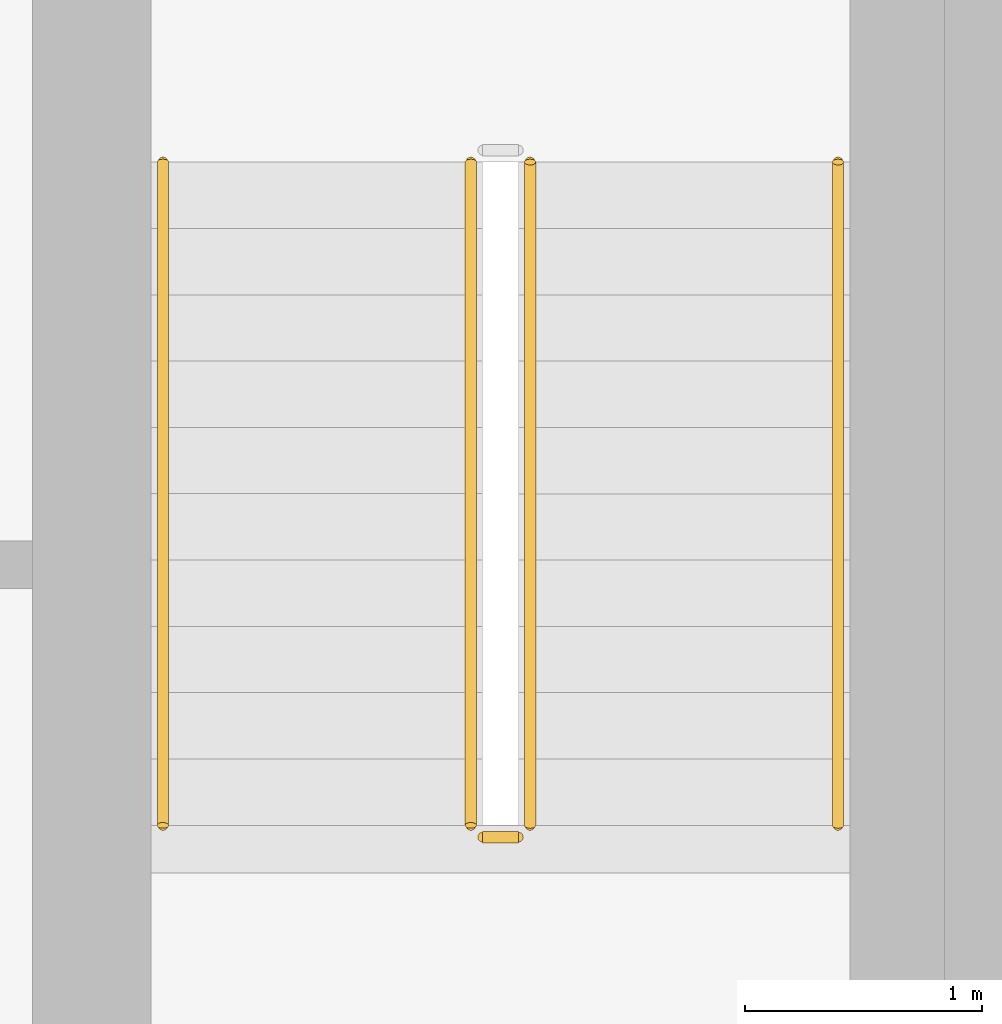
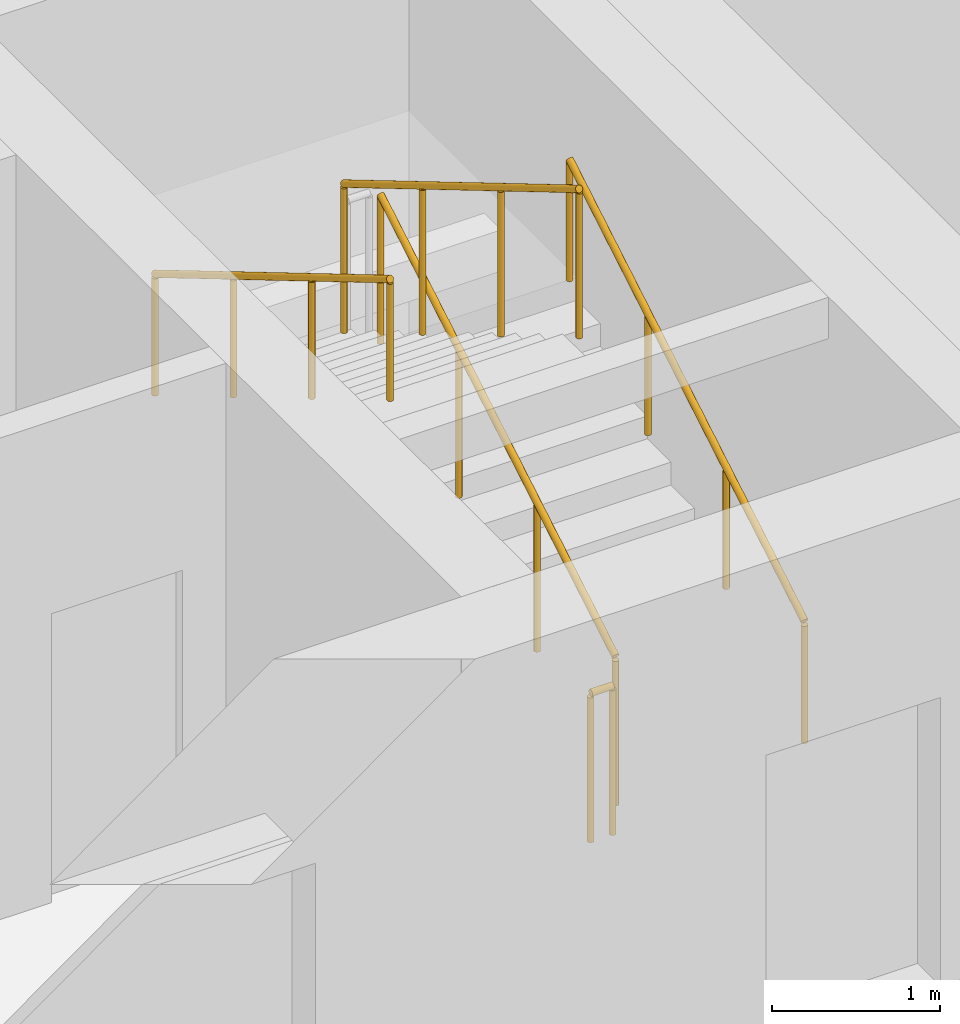
# One storey, part 13 of 15: 5 railings.
"""IFC4 building model written with IfcOpenShell, lengths in metres."""

from ifc_helpers import new_model, si_unit, direction, frame, origin, origin_2d, place, context, subcontext, project, spatial, circle, extrude, material, type_object, element, save


model = new_model("IFC4")

# Units and contexts
model_context = context("Model", 3, precision=1e-05, world=origin(), true_north=direction((0.0, 1.0)))
body_context = subcontext(model_context, "Body", "Model", "MODEL_VIEW")
ifc_project = project(units=[si_unit("LENGTHUNIT", "METRE"), si_unit("AREAUNIT", "SQUARE_METRE"), si_unit("VOLUMEUNIT", "CUBIC_METRE"), si_unit("PLANEANGLEUNIT", "RADIAN"), si_unit("MASSUNIT", "GRAM", prefix="KILO")], contexts=[model_context])

# Site, building, storey
site_placement = place(None, origin())
site = spatial("IfcSite", under=ifc_project, at=site_placement, CompositionType="ELEMENT")
building_placement = place(site_placement, origin())
building = spatial("IfcBuilding", under=site, at=building_placement, Name="Isthmus Gate Tower", CompositionType="ELEMENT")
storey_placement = place(building_placement, frame((0.0, 0.0, 223.60009765625)))
storey = spatial("IfcBuildingStorey", under=building, at=storey_placement, Name="L56", CompositionType="ELEMENT", Elevation=223.60009765625)

# Railings
ifc_material_1 = material(Name="Stainless steel balustrade", Category="steel")
railing_type_1 = type_object("IfcRailingType", Name="STAIR GUARD 1100", PredefinedType="GUARDRAIL", material=ifc_material_1)
railing_1_placement = place(storey_placement, frame((12.64990234375, 2.39990234375, 0.165771484375)))
element("IfcRailing", 1, at=railing_1_placement, inside=storey, type_object=railing_type_1, Name="L56 ST8 stair guard 1", PredefinedType="GUARDRAIL", context=body_context, shape_type="SweptSolid", body=[
    extrude(circle(Radius=0.02392578125, at=origin_2d()), frame((0.0, 0.0, 1.076171875), z_axis=(0.0, 0.860306154799, 0.50977771628), x_axis=(-1.0, 0.0, 0.0)), (0.0, 0.0, 1.0), 3.254638671875),
    extrude(circle(Radius=0.02099609375, at=origin_2d()), origin(), (0.0, 0.0, 1.0), 1.052001953125),
    extrude(circle(Radius=0.02099609375, at=origin_2d()), frame((0.0, 0.933349609375, 0.552978515625)), (0.0, 0.0, 1.0), 1.052001953125),
    extrude(circle(Radius=0.02099609375, at=origin_2d()), frame((0.0, 1.86669921875, 1.106201171875)), (0.0, 0.0, 1.0), 1.052001953125),
    extrude(circle(Radius=0.02099609375, at=origin_2d()), frame((0.0, 2.800048828125, 1.6591796875)), (0.0, 0.0, 1.0), 1.052001953125),
])
railing_2_placement = place(storey_placement, frame((12.39990234375, 5.199951171875, 1.99072265625)))
element("IfcRailing", 2, at=railing_2_placement, inside=storey, type_object=railing_type_1, Name="L56 ST8 stair guard 3", PredefinedType="GUARDRAIL", context=body_context, shape_type="SweptSolid", body=[
    extrude(circle(Radius=0.02392578125, at=origin_2d()), frame((0.0, 0.0, 1.076171875), z_axis=(0.0, -0.860306154799, 0.50977771628), x_axis=(1.0, 0.0, 0.0)), (0.0, 0.0, 1.0), 3.254638671875),
    extrude(circle(Radius=0.02099609375, at=origin_2d()), origin(), (0.0, 0.0, 1.0), 1.052001953125),
    extrude(circle(Radius=0.02099609375, at=origin_2d()), frame((0.0, -0.933349609375, 0.552978515625)), (0.0, 0.0, 1.0), 1.052001953125),
    extrude(circle(Radius=0.02099609375, at=origin_2d()), frame((0.0, -1.86669921875, 1.106201171875)), (0.0, 0.0, 1.0), 1.052001953125),
    extrude(circle(Radius=0.02099609375, at=origin_2d()), frame((0.0, -2.800048828125, 1.6591796875)), (0.0, 0.0, 1.0), 1.052001953125),
])
railing_3_placement = place(storey_placement, frame((12.60009765625, 2.35009765625, 0.0)))
element("IfcRailing", 3, at=railing_3_placement, inside=storey, type_object=railing_type_1, Name="L56 ST8 stair guard 4", PredefinedType="GUARDRAIL", context=body_context, shape_type="SweptSolid", body=[
    extrude(circle(Radius=0.02392578125, at=origin_2d()), frame((0.0, 0.0, 1.076171875), z_axis=(-1.0, 0.0, 0.0), x_axis=(0.0, -1.0, 0.0)), (0.0, 0.0, 1.0), 0.150146484375),
    extrude(circle(Radius=0.02099609375, at=origin_2d()), origin(), (0.0, 0.0, 1.0), 1.052001953125),
    extrude(circle(Radius=0.02099609375, at=origin_2d()), frame((-0.150146484375, 0.0, 0.0)), (0.0, 0.0, 1.0), 1.052001953125),
])
ifc_material_2 = material(Name="Stainless steel handrail", Category="steel")
railing_type_2 = type_object("IfcRailingType", Name="STAIR HANDRAIL 900", PredefinedType="HANDRAIL", material=ifc_material_2)
railing_4_placement = place(storey_placement, frame((13.949951171875, 2.39990234375, 0.165771484375)))
element("IfcRailing", 4, at=railing_4_placement, inside=storey, type_object=railing_type_2, Name="L56 ST8 stair handrail 1", PredefinedType="HANDRAIL", context=body_context, shape_type="SweptSolid", body=[
    extrude(circle(Radius=0.02392578125, at=origin_2d()), frame((0.0, 0.0, 0.8759765625), z_axis=(0.0, 0.860306154799, 0.50977771628), x_axis=(-1.0, 0.0, 0.0)), (0.0, 0.0, 1.0), 3.254638671875),
    extrude(circle(Radius=0.02099609375, at=origin_2d()), origin(), (0.0, 0.0, 1.0), 0.851806640625),
    extrude(circle(Radius=0.02099609375, at=origin_2d()), frame((0.0, 0.933349609375, 0.552978515625)), (0.0, 0.0, 1.0), 0.851806640625),
    extrude(circle(Radius=0.02099609375, at=origin_2d()), frame((0.0, 1.86669921875, 1.106201171875)), (0.0, 0.0, 1.0), 0.851806640625),
    extrude(circle(Radius=0.02099609375, at=origin_2d()), frame((0.0, 2.800048828125, 1.6591796875)), (0.0, 0.0, 1.0), 0.851806640625),
])
railing_5_placement = place(storey_placement, frame((11.10009765625, 5.199951171875, 1.99072265625)))
element("IfcRailing", 5, at=railing_5_placement, inside=storey, type_object=railing_type_2, Name="L56 ST8 stair handrail 2", PredefinedType="HANDRAIL", context=body_context, shape_type="SweptSolid", body=[
    extrude(circle(Radius=0.02392578125, at=origin_2d()), frame((0.0, 0.0, 0.8759765625), z_axis=(0.0, -0.860306154799, 0.50977771628), x_axis=(1.0, 0.0, 0.0)), (0.0, 0.0, 1.0), 3.254638671875),
    extrude(circle(Radius=0.02099609375, at=origin_2d()), origin(), (0.0, 0.0, 1.0), 0.851806640625),
    extrude(circle(Radius=0.02099609375, at=origin_2d()), frame((0.0, -0.933349609375, 0.552978515625)), (0.0, 0.0, 1.0), 0.851806640625),
    extrude(circle(Radius=0.02099609375, at=origin_2d()), frame((0.0, -1.86669921875, 1.106201171875)), (0.0, 0.0, 1.0), 0.851806640625),
    extrude(circle(Radius=0.02099609375, at=origin_2d()), frame((0.0, -2.800048828125, 1.6591796875)), (0.0, 0.0, 1.0), 0.851806640625),
])

save(model, "model.ifc")
